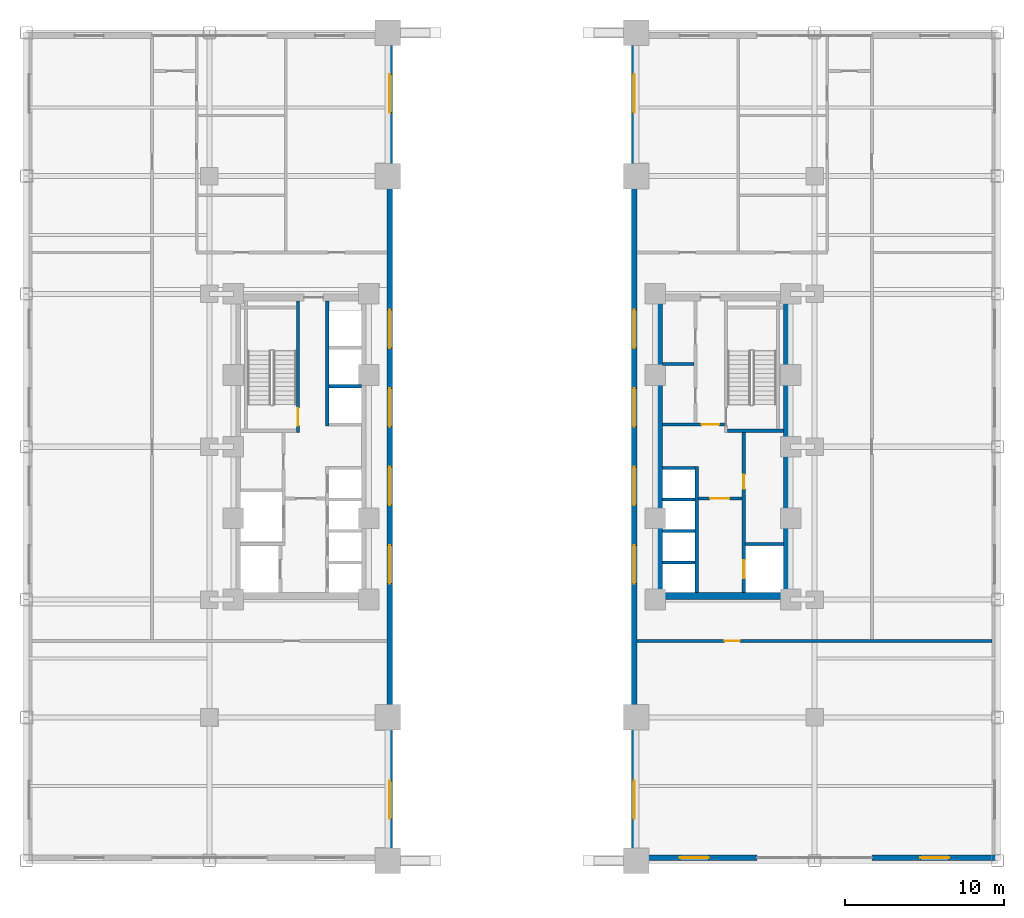
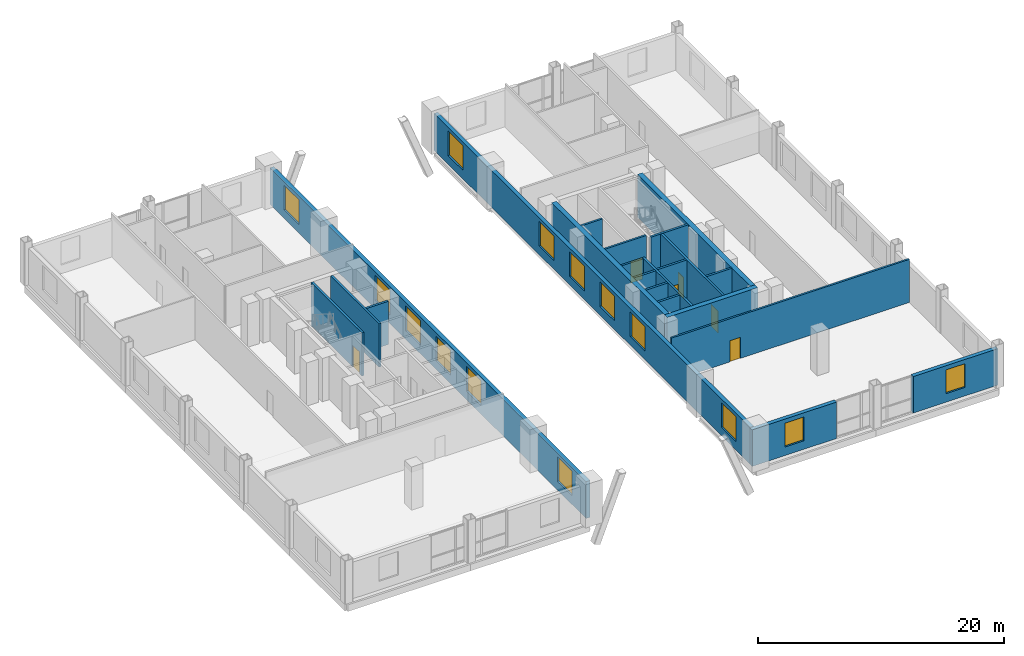
# One storey, part 4 of 15: 22 walls, 14 windows, 6 doors, 20 openings.
"""IFC4 building model written with IfcOpenShell, lengths in metres."""

import ifcopenshell
import ifcopenshell.guid

model = None  # the IFC model being written
_history = None  # IfcOwnerHistory: only IFC2X3 demands one
_inside = {}  # id of a spatial element -> (the spatial element, [elements in it])
_under = {}  # id of a project, library or spatial element -> (it, [spatial elements below it])
_declared = {}  # id of a project -> (the project, [libraries it declares])
_typed = {}  # id of a type object -> (the type object, [elements of that type])
_made_of = {}  # id of a material, layer set ... -> (it, [elements and type objects made of it])


def new_model(schema):
    """Start an empty IFC model of exactly this schema.

    Asked for "IFC4X3", IfcOpenShell would pick the latest addendum, in which some entities
    have other attributes; the version numbers below select the first issue.
    IFC2X3 requires an IfcOwnerHistory on every rooted entity: one is made here for all.
    """
    global model, _history
    if schema == "IFC4X3":
        model = ifcopenshell.file(schema_version=(4, 3, 0, 0))
    else:
        model = ifcopenshell.file(schema=schema)
    _inside.clear()
    _under.clear()
    _declared.clear()
    _typed.clear()
    _made_of.clear()
    _history = None
    if model.schema == "IFC2X3":
        org = make("IfcOrganization", Name="unknown")
        user = make(
            "IfcPersonAndOrganization",
            ThePerson=make("IfcPerson", FamilyName="unknown"),
            TheOrganization=org,
        )
        app = make(
            "IfcApplication",
            ApplicationDeveloper=org,
            Version="unknown",
            ApplicationFullName="unknown",
            ApplicationIdentifier="unknown",
        )
        _history = make(
            "IfcOwnerHistory",
            OwningUser=user,
            OwningApplication=app,
            ChangeAction="ADDED",
            CreationDate=0,
        )
    return model


def make(cls, **values):
    """One entity of the class cls with the attributes given. An attribute that is None is left unset."""
    return model.create_entity(
        cls, **{name: value for name, value in values.items() if value is not None}
    )


def rooted(cls, **values):
    """An entity with a GlobalId (a new one), such as an element, a storey or a relation."""
    return make(cls, GlobalId=ifcopenshell.guid.new(), OwnerHistory=_history, **values)


def si_unit(unit_type, name, prefix=None):
    """IfcSIUnit, for example si_unit("LENGTHUNIT", "METRE", prefix="MILLI")."""
    return make("IfcSIUnit", UnitType=unit_type, Prefix=prefix, Name=name)


def assignment(units):
    """IfcUnitAssignment: the units of a project."""
    return None if units is None else make("IfcUnitAssignment", Units=units)


def point(xyz):
    """IfcCartesianPoint."""
    return None if xyz is None else make("IfcCartesianPoint", Coordinates=xyz)


def direction(xyz):
    """IfcDirection."""
    return None if xyz is None else make("IfcDirection", DirectionRatios=xyz)


def frame(location, z_axis=None, x_axis=None):
    """IfcAxis2Placement3D, a coordinate frame: its origin and axes. An axis left out is left unset."""
    return make(
        "IfcAxis2Placement3D",
        Location=point(location),
        Axis=direction(z_axis),
        RefDirection=direction(x_axis),
    )


def frame_2d(location, x_axis=None):
    """IfcAxis2Placement2D, a coordinate frame in the plane: its origin and x axis."""
    return make(
        "IfcAxis2Placement2D", Location=point(location), RefDirection=direction(x_axis)
    )


def origin():
    """The frame at (0, 0, 0) with its axes left unset."""
    return frame((0.0, 0.0, 0.0))


def place(relative_to, where):
    """IfcLocalPlacement: puts the frame where relative to a parent placement (None: the world)."""
    return make(
        "IfcLocalPlacement", PlacementRelTo=relative_to, RelativePlacement=where
    )


def context(
    kind, dimensions, precision=None, world=None, true_north=None, identifier=None
):
    """IfcGeometricRepresentationContext, for example the 3D "Model" context."""
    return make(
        "IfcGeometricRepresentationContext",
        ContextIdentifier=identifier,
        ContextType=kind,
        CoordinateSpaceDimension=dimensions,
        Precision=precision,
        WorldCoordinateSystem=world,
        TrueNorth=true_north,
    )


def subcontext(parent, identifier, kind, view, scale=None):
    """IfcGeometricRepresentationSubContext, for example "Body" below "Model"."""
    return make(
        "IfcGeometricRepresentationSubContext",
        ContextIdentifier=identifier,
        ContextType=kind,
        ParentContext=parent,
        TargetScale=scale,
        TargetView=view,
    )


def project(units=None, contexts=None):
    """IfcProject with its units and contexts."""
    return rooted(
        "IfcProject",
        Name="project",
        RepresentationContexts=contexts,
        UnitsInContext=assignment(units),
    )


def spatial(cls, under=None, at=None, **own):
    """A site, building, storey or space (cls), placed at a placement, below another one or the project."""
    s = rooted(cls, ObjectPlacement=at, **own)
    if under is not None:
        _under.setdefault(under.id(), (under, []))[1].append(s)
    return s


def profile(cls, at=None, kind="AREA", **sizes):
    """A parametric profile (cls). Its sizes go by their IFC names, for example OverallWidth=200.0."""
    return make(cls, ProfileType=kind, Position=at, **sizes)


def rectangle(**sizes):
    """IfcRectangleProfileDef."""
    return profile("IfcRectangleProfileDef", **sizes)


def extrude(swept, where, along, depth):
    """IfcExtrudedAreaSolid: the profile swept, set in the frame where, extruded along a direction by depth."""
    return make(
        "IfcExtrudedAreaSolid",
        SweptArea=swept,
        Position=where,
        ExtrudedDirection=direction(along),
        Depth=depth,
    )


def shape(context_of_items, identifier, shape_type, items):
    """IfcShapeRepresentation: the items that make up one representation, for example the "Body"."""
    return make(
        "IfcShapeRepresentation",
        ContextOfItems=context_of_items,
        RepresentationIdentifier=identifier,
        RepresentationType=shape_type,
        Items=items,
    )


def source(mapping_origin, context_of_items, identifier, shape_type, items):
    """IfcRepresentationMap: a shape defined once, which mapped items show again and again."""
    return make(
        "IfcRepresentationMap",
        MappingOrigin=mapping_origin,
        MappedRepresentation=shape(context_of_items, identifier, shape_type, items),
    )


def transform(
    local_origin,
    x_axis=None,
    y_axis=None,
    z_axis=None,
    scale=None,
    scale2=None,
    scale3=None,
    uniform=True,
):
    """IfcCartesianTransformationOperator3D, or its non-uniform kind. x_axis, y_axis, z_axis: its Axis1, 2, 3."""
    if uniform:
        return make(
            "IfcCartesianTransformationOperator3D",
            Axis1=direction(x_axis),
            Axis2=direction(y_axis),
            LocalOrigin=point(local_origin),
            Scale=scale,
            Axis3=direction(z_axis),
        )
    return make(
        "IfcCartesianTransformationOperator3DnonUniform",
        Axis1=direction(x_axis),
        Axis2=direction(y_axis),
        LocalOrigin=point(local_origin),
        Scale=scale,
        Axis3=direction(z_axis),
        Scale2=scale2,
        Scale3=scale3,
    )


def mapped(mapping_source, mapping_target):
    """IfcMappedItem: shows the shape of a source again, moved by a transform."""
    return make(
        "IfcMappedItem", MappingSource=mapping_source, MappingTarget=mapping_target
    )


def material(Name=None, Category=None):
    """IfcMaterial."""
    return make("IfcMaterial", Name=Name, Category=Category)


def layer(
    of_material, thickness, ventilated=None, Name=None, Category=None, Priority=None
):
    """IfcMaterialLayer: one layer of a wall or slab, of a material (None: an air gap)."""
    return make(
        "IfcMaterialLayer",
        Material=of_material,
        LayerThickness=thickness,
        IsVentilated=ventilated,
        Name=Name,
        Category=Category,
        Priority=Priority,
    )


def layer_set(layers, Name=None):
    """IfcMaterialLayerSet."""
    return make("IfcMaterialLayerSet", MaterialLayers=layers, LayerSetName=Name)


def made_of(thing, what):
    """Note that an element or type object is made of a material, layer set ...; save() writes the relation."""
    if what is not None:
        _made_of.setdefault(what.id(), (what, []))[1].append(thing)
    return thing


def type_object(cls, material=None, **own):
    """A type object (cls), such as IfcWallType, which elements share."""
    return made_of(rooted(cls, **own), material)


def type_shapes(of_type, sources):
    """Give a type object the sources (RepresentationMaps) that its elements show as mapped items."""
    of_type.RepresentationMaps = sources


def element(
    cls,
    number,
    at=None,
    inside=None,
    cuts=None,
    type_object=None,
    material=None,
    context=None,
    identifier="Body",
    shape_type=None,
    held_by="IfcProductDefinitionShape",
    body=None,
    shapes=None,
    **own,
):
    """One element of the class cls, such as IfcWall. Its Tag is "e" and its number.

    at: its placement. inside: the storey or other place that contains it. cuts: it is an
    opening in that element (IfcRelVoidsElement). A single representation is given by context,
    identifier, shape_type and body (its items); several are given by shapes. held_by: the class
    of the entity that holds the representations. save() writes the other relations.
    """
    e = rooted(cls, Tag="e%d" % number, ObjectPlacement=at, **own)
    if body is not None:
        shapes = [shape(context, identifier, shape_type, body)]
    if shapes is not None:
        e.Representation = make(held_by, Representations=shapes)
    if inside is not None:
        _inside.setdefault(inside.id(), (inside, []))[1].append(e)
    if cuts is not None:
        rooted(
            "IfcRelVoidsElement", RelatingBuildingElement=cuts, RelatedOpeningElement=e
        )
    if type_object is not None:
        _typed.setdefault(type_object.id(), (type_object, []))[1].append(e)
    return made_of(e, material)


def fill(opening, filler):
    """IfcRelFillsElement: the door or window that sits in an opening."""
    return rooted(
        "IfcRelFillsElement",
        RelatingOpeningElement=opening,
        RelatedBuildingElement=filler,
    )


def aggregate(whole, parts):
    """IfcRelAggregates: a whole, such as a stair, and the parts it consists of."""
    return rooted("IfcRelAggregates", RelatingObject=whole, RelatedObjects=parts)


def save(model, path):
    """Write the relations noted so far, then the file.

    IfcRelAggregates (storeys below a building ...), IfcRelContainedInSpatialStructure (elements
    in a storey), IfcRelDefinesByType, IfcRelAssociatesMaterial and IfcRelDeclares: one each for
    every whole, place, type object, material and project.
    """
    for whole, parts in _under.values():
        aggregate(whole, parts)
    for where, things in _inside.values():
        rooted(
            "IfcRelContainedInSpatialStructure",
            RelatedElements=things,
            RelatingStructure=where,
        )
    for kind, things in _typed.values():
        rooted("IfcRelDefinesByType", RelatedObjects=things, RelatingType=kind)
    for what, things in _made_of.values():
        rooted("IfcRelAssociatesMaterial", RelatedObjects=things, RelatingMaterial=what)
    for by, libraries in _declared.values():
        rooted("IfcRelDeclares", RelatingContext=by, RelatedDefinitions=libraries)
    model.write(path)


model = new_model("IFC4")

# Units and contexts
model_context = context("Model", 3, precision=1e-05, world=origin(), true_north=direction((0.0, 1.0)))
body_context = subcontext(model_context, "Body", "Model", "MODEL_VIEW")
ifc_project = project(units=[si_unit("LENGTHUNIT", "METRE"), si_unit("AREAUNIT", "SQUARE_METRE"), si_unit("VOLUMEUNIT", "CUBIC_METRE"), si_unit("PLANEANGLEUNIT", "RADIAN"), si_unit("MASSUNIT", "GRAM", prefix="KILO")], contexts=[model_context])

# Site, building, storey
site_placement = place(None, origin())
site = spatial("IfcSite", under=ifc_project, at=site_placement, CompositionType="ELEMENT")
building_placement = place(site_placement, origin())
building = spatial("IfcBuilding", under=site, at=building_placement, Name="Nuvemarco Arch Tower", CompositionType="ELEMENT")
storey_placement = place(building_placement, frame((0.0, 0.0, 9.199951171875)))
storey = spatial("IfcBuildingStorey", under=building, at=storey_placement, Name="L02", CompositionType="ELEMENT", Elevation=9.199951171875)

# Wall, openings, windows
ifc_material_1 = material(Name="Precast concrete C45/55", Category="concrete")
ifc_layer_1 = layer(ifc_material_1, 0.360107421875, Name="EW-POD-360")
ifc_layer_set_1 = layer_set([ifc_layer_1], Name="Precast concrete C45/55")
wall_type_1 = type_object("IfcWallType", Name="EW-POD-360", PredefinedType="STANDARD", material=ifc_layer_set_1)
wall_1_placement = place(storey_placement, frame((-7.679931640625, -25.64404296875, 0.0), z_axis=(0.0, 0.0, 1.0), x_axis=(0.0, 1.0, 0.0)))
wall_1 = element("IfcWall", 1, at=wall_1_placement, inside=storey, type_object=wall_type_1, Name="L02 exterior precast facade wall 2", PredefinedType="STANDARD", context=body_context, shape_type="SweptSolid", body=[
    extrude(rectangle(XDim=51.2880859375, YDim=0.360107421875, at=frame_2d((25.64404296875, 0.0))), origin(), (0.0, 0.0, 1.0), 3.649169921875),
])
opening_1_placement = place(wall_1_placement, frame((2.264404296875, 0.0, 0.85009765625)))
opening_1 = element("IfcOpeningElement", 2, at=opening_1_placement, cuts=wall_1, Name="Opening WN-1", PredefinedType="OPENING", context=body_context, shape_type="SweptSolid", body=[
    extrude(rectangle(XDim=2.39990234375, YDim=2.449951171875, at=frame_2d((1.199951171875, 1.22509765625))), frame((0.0, 0.18994140625, 0.0), z_axis=(0.0, -1.0, 0.0), x_axis=(1.0, 0.0, 0.0)), (0.0, 0.0, 1.0), 0.380126953125),
])
opening_2_placement = place(wall_1_placement, frame((17.05078125, 0.0, 0.85009765625)))
opening_2 = element("IfcOpeningElement", 3, at=opening_2_placement, cuts=wall_1, Name="Opening WN-1", PredefinedType="OPENING", context=body_context, shape_type="SweptSolid", body=[
    extrude(rectangle(XDim=2.39990234375, YDim=2.449951171875, at=frame_2d((1.199951171875, 1.22509765625))), frame((0.0, 0.18994140625, 0.0), z_axis=(0.0, -1.0, 0.0), x_axis=(1.0, 0.0, 0.0)), (0.0, 0.0, 1.0), 0.380126953125),
])
opening_3_placement = place(wall_1_placement, frame((21.9794921875, 0.0, 0.85009765625)))
opening_3 = element("IfcOpeningElement", 4, at=opening_3_placement, cuts=wall_1, Name="Opening WN-1", PredefinedType="OPENING", context=body_context, shape_type="SweptSolid", body=[
    extrude(rectangle(XDim=2.39990234375, YDim=2.449951171875, at=frame_2d((1.199951171875, 1.22509765625))), frame((0.0, 0.18994140625, 0.0), z_axis=(0.0, -1.0, 0.0), x_axis=(1.0, 0.0, 0.0)), (0.0, 0.0, 1.0), 0.380126953125),
])
opening_4_placement = place(wall_1_placement, frame((26.908447265625, 0.0, 0.85009765625)))
opening_4 = element("IfcOpeningElement", 5, at=opening_4_placement, cuts=wall_1, Name="Opening WN-1", PredefinedType="OPENING", context=body_context, shape_type="SweptSolid", body=[
    extrude(rectangle(XDim=2.39990234375, YDim=2.449951171875, at=frame_2d((1.199951171875, 1.22509765625))), frame((0.0, 0.18994140625, 0.0), z_axis=(0.0, -1.0, 0.0), x_axis=(1.0, 0.0, 0.0)), (0.0, 0.0, 1.0), 0.380126953125),
])
opening_5_placement = place(wall_1_placement, frame((31.837158203125, 0.0, 0.85009765625)))
opening_5 = element("IfcOpeningElement", 6, at=opening_5_placement, cuts=wall_1, Name="Opening WN-1", PredefinedType="OPENING", context=body_context, shape_type="SweptSolid", body=[
    extrude(rectangle(XDim=2.39990234375, YDim=2.449951171875, at=frame_2d((1.199951171875, 1.22509765625))), frame((0.0, 0.18994140625, 0.0), z_axis=(0.0, -1.0, 0.0), x_axis=(1.0, 0.0, 0.0)), (0.0, 0.0, 1.0), 0.380126953125),
])
opening_6_placement = place(wall_1_placement, frame((46.62353515625, 0.0, 0.85009765625)))
opening_6 = element("IfcOpeningElement", 7, at=opening_6_placement, cuts=wall_1, Name="Opening WN-1", PredefinedType="OPENING", context=body_context, shape_type="SweptSolid", body=[
    extrude(rectangle(XDim=2.39990234375, YDim=2.449951171875, at=frame_2d((1.199951171875, 1.22509765625))), frame((0.0, 0.18994140625, 0.0), z_axis=(0.0, -1.0, 0.0), x_axis=(1.0, 0.0, 0.0)), (0.0, 0.0, 1.0), 0.380126953125),
])
ifc_material_2 = material(Name="Insulated solar-control glass", Category="glass")
window_type_1 = type_object("IfcWindowType", Name="WN-POD-2400x2450", PartitioningType="DOUBLE_PANEL_VERTICAL", PredefinedType="WINDOW", material=ifc_material_2)
shared_shape_1 = source(origin(), body_context, "Body", "SweptSolid", [
    extrude(rectangle(XDim=2.39990234375, YDim=2.449951171875, at=frame_2d((1.199951171875, 1.22509765625))), frame((0.0, 0.030029296875, 0.0), z_axis=(0.0, -1.0, 0.0), x_axis=(1.0, 0.0, 0.0)), (0.0, 0.0, 1.0), 0.06005859375),
])
type_shapes(window_type_1, [shared_shape_1])
window_1_placement = place(opening_1_placement, origin())
window_1 = element("IfcWindow", 8, at=window_1_placement, inside=storey, type_object=window_type_1, Name="L02 punched facade window 1", OverallHeight=2.449951171875, OverallWidth=2.39990234375, PartitioningType="SINGLE_PANEL", PredefinedType="WINDOW", context=body_context, shape_type="MappedRepresentation", body=[
    mapped(shared_shape_1, transform((0.0, 0.0, 0.0), scale=1.0)),
])
fill(opening_1, window_1)
window_2_placement = place(opening_2_placement, origin())
window_2 = element("IfcWindow", 9, at=window_2_placement, inside=storey, type_object=window_type_1, Name="L02 punched facade window 4", OverallHeight=2.449951171875, OverallWidth=2.39990234375, PartitioningType="SINGLE_PANEL", PredefinedType="WINDOW", context=body_context, shape_type="MappedRepresentation", body=[
    mapped(shared_shape_1, transform((0.0, 0.0, 0.0), scale=1.0)),
])
fill(opening_2, window_2)
window_3_placement = place(opening_3_placement, origin())
window_3 = element("IfcWindow", 10, at=window_3_placement, inside=storey, type_object=window_type_1, Name="L02 punched facade window 5", OverallHeight=2.449951171875, OverallWidth=2.39990234375, PartitioningType="SINGLE_PANEL", PredefinedType="WINDOW", context=body_context, shape_type="MappedRepresentation", body=[
    mapped(shared_shape_1, transform((0.0, 0.0, 0.0), scale=1.0)),
])
fill(opening_3, window_3)
window_4_placement = place(opening_4_placement, origin())
window_4 = element("IfcWindow", 11, at=window_4_placement, inside=storey, type_object=window_type_1, Name="L02 punched facade window 6", OverallHeight=2.449951171875, OverallWidth=2.39990234375, PartitioningType="SINGLE_PANEL", PredefinedType="WINDOW", context=body_context, shape_type="MappedRepresentation", body=[
    mapped(shared_shape_1, transform((0.0, 0.0, 0.0), scale=1.0)),
])
fill(opening_4, window_4)
window_5_placement = place(opening_5_placement, origin())
window_5 = element("IfcWindow", 12, at=window_5_placement, inside=storey, type_object=window_type_1, Name="L02 punched facade window 7", OverallHeight=2.449951171875, OverallWidth=2.39990234375, PartitioningType="SINGLE_PANEL", PredefinedType="WINDOW", context=body_context, shape_type="MappedRepresentation", body=[
    mapped(shared_shape_1, transform((0.0, 0.0, 0.0), scale=1.0)),
])
fill(opening_5, window_5)
window_6_placement = place(opening_6_placement, origin())
window_6 = element("IfcWindow", 13, at=window_6_placement, inside=storey, type_object=window_type_1, Name="L02 punched facade window 10", OverallHeight=2.449951171875, OverallWidth=2.39990234375, PartitioningType="SINGLE_PANEL", PredefinedType="WINDOW", context=body_context, shape_type="MappedRepresentation", body=[
    mapped(shared_shape_1, transform((0.0, 0.0, 0.0), scale=1.0)),
])
fill(opening_6, window_6)

# Wall, opening, window
wall_2_placement = place(storey_placement, frame((7.5, -25.820068359375, 0.0), z_axis=(0.0, 0.0, 1.0), x_axis=(1.0, 0.0, 0.0)))
wall_2 = element("IfcWall", 14, at=wall_2_placement, inside=storey, type_object=wall_type_1, Name="L02 exterior precast pier wall south left", PredefinedType="STANDARD", context=body_context, shape_type="SweptSolid", body=[
    extrude(rectangle(XDim=7.89990234375, YDim=0.360107421875, at=frame_2d((3.949951171875, 0.0))), origin(), (0.0, 0.0, 1.0), 3.614990234375),
])
opening_7_placement = place(wall_2_placement, frame((3.050048828125, 0.0, 0.85009765625)))
opening_7 = element("IfcOpeningElement", 15, at=opening_7_placement, cuts=wall_2, Name="Opening WN-2", PredefinedType="OPENING", context=body_context, shape_type="SweptSolid", body=[
    extrude(rectangle(XDim=1.800048828125, YDim=2.35009765625, at=frame_2d((0.89990234375, 1.175048828125))), frame((0.0, 0.18994140625, 0.0), z_axis=(0.0, -1.0, 0.0), x_axis=(1.0, 0.0, 0.0)), (0.0, 0.0, 1.0), 0.380126953125),
])
window_type_2 = type_object("IfcWindowType", Name="WN-POD-1800x2350", PartitioningType="DOUBLE_PANEL_VERTICAL", PredefinedType="WINDOW", material=ifc_material_2)
shared_shape_2 = source(origin(), body_context, "Body", "SweptSolid", [
    extrude(rectangle(XDim=1.800048828125, YDim=2.35009765625, at=frame_2d((0.89990234375, 1.175048828125))), frame((0.0, 0.030029296875, 0.0), z_axis=(0.0, -1.0, 0.0), x_axis=(1.0, 0.0, 0.0)), (0.0, 0.0, 1.0), 0.06005859375),
])
type_shapes(window_type_2, [shared_shape_2])
window_7_placement = place(opening_7_placement, origin())
window_7 = element("IfcWindow", 16, at=window_7_placement, inside=storey, type_object=window_type_2, Name="L02 punched facade window 1", OverallHeight=2.35009765625, OverallWidth=1.800048828125, PartitioningType="SINGLE_PANEL", PredefinedType="WINDOW", context=body_context, shape_type="MappedRepresentation", body=[
    mapped(shared_shape_2, transform((0.0, 0.0, 0.0), scale=1.0)),
])
fill(opening_7, window_7)

wall_3_placement = place(storey_placement, frame((22.60009765625, -25.820068359375, 0.0), z_axis=(0.0, 0.0, 1.0), x_axis=(1.0, 0.0, 0.0)))
wall_3 = element("IfcWall", 17, at=wall_3_placement, inside=storey, type_object=wall_type_1, Name="L02 exterior precast pier wall south right", PredefinedType="STANDARD", context=body_context, shape_type="SweptSolid", body=[
    extrude(rectangle(XDim=7.89990234375, YDim=0.360107421875, at=frame_2d((3.949951171875, 0.0))), origin(), (0.0, 0.0, 1.0), 3.614990234375),
])
opening_8_placement = place(wall_3_placement, frame((3.050048828125, 0.0, 0.85009765625)))
opening_8 = element("IfcOpeningElement", 18, at=opening_8_placement, cuts=wall_3, Name="Opening WN-2", PredefinedType="OPENING", context=body_context, shape_type="SweptSolid", body=[
    extrude(rectangle(XDim=1.800048828125, YDim=2.35009765625, at=frame_2d((0.89990234375, 1.175048828125))), frame((0.0, 0.18994140625, 0.0), z_axis=(0.0, -1.0, 0.0), x_axis=(1.0, 0.0, 0.0)), (0.0, 0.0, 1.0), 0.380126953125),
])
window_8_placement = place(opening_8_placement, origin())
window_8 = element("IfcWindow", 19, at=window_8_placement, inside=storey, type_object=window_type_2, Name="L02 punched facade window 1", OverallHeight=2.35009765625, OverallWidth=1.800048828125, PartitioningType="SINGLE_PANEL", PredefinedType="WINDOW", context=body_context, shape_type="MappedRepresentation", body=[
    mapped(shared_shape_2, transform((0.0, 0.0, 0.0), scale=1.0)),
])
fill(opening_8, window_8)

# Wall, openings, windows
wall_4_placement = place(storey_placement, frame((7.679931640625, -25.64404296875, 0.0), z_axis=(0.0, 0.0, 1.0), x_axis=(0.0, 1.0, 0.0)))
wall_4 = element("IfcWall", 20, at=wall_4_placement, inside=storey, type_object=wall_type_1, Name="L02 exterior precast facade wall 4", PredefinedType="STANDARD", context=body_context, shape_type="SweptSolid", body=[
    extrude(rectangle(XDim=51.2880859375, YDim=0.360107421875, at=frame_2d((25.64404296875, 0.0))), origin(), (0.0, 0.0, 1.0), 3.649169921875),
])
opening_9_placement = place(wall_4_placement, frame((2.264404296875, 0.0, 0.85009765625)))
opening_9 = element("IfcOpeningElement", 21, at=opening_9_placement, cuts=wall_4, Name="Opening WN-1", PredefinedType="OPENING", context=body_context, shape_type="SweptSolid", body=[
    extrude(rectangle(XDim=2.39990234375, YDim=2.449951171875, at=frame_2d((1.199951171875, 1.22509765625))), frame((0.0, 0.18994140625, 0.0), z_axis=(0.0, -1.0, 0.0), x_axis=(1.0, 0.0, 0.0)), (0.0, 0.0, 1.0), 0.380126953125),
])
opening_10_placement = place(wall_4_placement, frame((17.05078125, 0.0, 0.85009765625)))
opening_10 = element("IfcOpeningElement", 22, at=opening_10_placement, cuts=wall_4, Name="Opening WN-1", PredefinedType="OPENING", context=body_context, shape_type="SweptSolid", body=[
    extrude(rectangle(XDim=2.39990234375, YDim=2.449951171875, at=frame_2d((1.199951171875, 1.22509765625))), frame((0.0, 0.18994140625, 0.0), z_axis=(0.0, -1.0, 0.0), x_axis=(1.0, 0.0, 0.0)), (0.0, 0.0, 1.0), 0.380126953125),
])
opening_11_placement = place(wall_4_placement, frame((21.9794921875, 0.0, 0.85009765625)))
opening_11 = element("IfcOpeningElement", 23, at=opening_11_placement, cuts=wall_4, Name="Opening WN-1", PredefinedType="OPENING", context=body_context, shape_type="SweptSolid", body=[
    extrude(rectangle(XDim=2.39990234375, YDim=2.449951171875, at=frame_2d((1.199951171875, 1.22509765625))), frame((0.0, 0.18994140625, 0.0), z_axis=(0.0, -1.0, 0.0), x_axis=(1.0, 0.0, 0.0)), (0.0, 0.0, 1.0), 0.380126953125),
])
opening_12_placement = place(wall_4_placement, frame((26.908447265625, 0.0, 0.85009765625)))
opening_12 = element("IfcOpeningElement", 24, at=opening_12_placement, cuts=wall_4, Name="Opening WN-1", PredefinedType="OPENING", context=body_context, shape_type="SweptSolid", body=[
    extrude(rectangle(XDim=2.39990234375, YDim=2.449951171875, at=frame_2d((1.199951171875, 1.22509765625))), frame((0.0, 0.18994140625, 0.0), z_axis=(0.0, -1.0, 0.0), x_axis=(1.0, 0.0, 0.0)), (0.0, 0.0, 1.0), 0.380126953125),
])
opening_13_placement = place(wall_4_placement, frame((31.837158203125, 0.0, 0.85009765625)))
opening_13 = element("IfcOpeningElement", 25, at=opening_13_placement, cuts=wall_4, Name="Opening WN-1", PredefinedType="OPENING", context=body_context, shape_type="SweptSolid", body=[
    extrude(rectangle(XDim=2.39990234375, YDim=2.449951171875, at=frame_2d((1.199951171875, 1.22509765625))), frame((0.0, 0.18994140625, 0.0), z_axis=(0.0, -1.0, 0.0), x_axis=(1.0, 0.0, 0.0)), (0.0, 0.0, 1.0), 0.380126953125),
])
opening_14_placement = place(wall_4_placement, frame((46.62353515625, 0.0, 0.85009765625)))
opening_14 = element("IfcOpeningElement", 26, at=opening_14_placement, cuts=wall_4, Name="Opening WN-1", PredefinedType="OPENING", context=body_context, shape_type="SweptSolid", body=[
    extrude(rectangle(XDim=2.39990234375, YDim=2.449951171875, at=frame_2d((1.199951171875, 1.22509765625))), frame((0.0, 0.18994140625, 0.0), z_axis=(0.0, -1.0, 0.0), x_axis=(1.0, 0.0, 0.0)), (0.0, 0.0, 1.0), 0.380126953125),
])
window_9_placement = place(opening_9_placement, origin())
window_9 = element("IfcWindow", 27, at=window_9_placement, inside=storey, type_object=window_type_1, Name="L02 punched facade window 1", OverallHeight=2.449951171875, OverallWidth=2.39990234375, PartitioningType="SINGLE_PANEL", PredefinedType="WINDOW", context=body_context, shape_type="MappedRepresentation", body=[
    mapped(shared_shape_1, transform((0.0, 0.0, 0.0), scale=1.0)),
])
fill(opening_9, window_9)
window_10_placement = place(opening_10_placement, origin())
window_10 = element("IfcWindow", 28, at=window_10_placement, inside=storey, type_object=window_type_1, Name="L02 punched facade window 4", OverallHeight=2.449951171875, OverallWidth=2.39990234375, PartitioningType="SINGLE_PANEL", PredefinedType="WINDOW", context=body_context, shape_type="MappedRepresentation", body=[
    mapped(shared_shape_1, transform((0.0, 0.0, 0.0), scale=1.0)),
])
fill(opening_10, window_10)
window_11_placement = place(opening_11_placement, origin())
window_11 = element("IfcWindow", 29, at=window_11_placement, inside=storey, type_object=window_type_1, Name="L02 punched facade window 5", OverallHeight=2.449951171875, OverallWidth=2.39990234375, PartitioningType="SINGLE_PANEL", PredefinedType="WINDOW", context=body_context, shape_type="MappedRepresentation", body=[
    mapped(shared_shape_1, transform((0.0, 0.0, 0.0), scale=1.0)),
])
fill(opening_11, window_11)
window_12_placement = place(opening_12_placement, origin())
window_12 = element("IfcWindow", 30, at=window_12_placement, inside=storey, type_object=window_type_1, Name="L02 punched facade window 6", OverallHeight=2.449951171875, OverallWidth=2.39990234375, PartitioningType="SINGLE_PANEL", PredefinedType="WINDOW", context=body_context, shape_type="MappedRepresentation", body=[
    mapped(shared_shape_1, transform((0.0, 0.0, 0.0), scale=1.0)),
])
fill(opening_12, window_12)
window_13_placement = place(opening_13_placement, origin())
window_13 = element("IfcWindow", 31, at=window_13_placement, inside=storey, type_object=window_type_1, Name="L02 punched facade window 7", OverallHeight=2.449951171875, OverallWidth=2.39990234375, PartitioningType="SINGLE_PANEL", PredefinedType="WINDOW", context=body_context, shape_type="MappedRepresentation", body=[
    mapped(shared_shape_1, transform((0.0, 0.0, 0.0), scale=1.0)),
])
fill(opening_13, window_13)
window_14_placement = place(opening_14_placement, origin())
window_14 = element("IfcWindow", 32, at=window_14_placement, inside=storey, type_object=window_type_1, Name="L02 punched facade window 10", OverallHeight=2.449951171875, OverallWidth=2.39990234375, PartitioningType="SINGLE_PANEL", PredefinedType="WINDOW", context=body_context, shape_type="MappedRepresentation", body=[
    mapped(shared_shape_1, transform((0.0, 0.0, 0.0), scale=1.0)),
])
fill(opening_14, window_14)

# Walls
ifc_material_3 = material(Name="Concrete C60/75", Category="concrete")
ifc_layer_2 = layer(ifc_material_3, 0.449951171875, Name="WL-CORE-450")
ifc_layer_set_2 = layer_set([ifc_layer_2], Name="Concrete C60/75")
wall_type_2 = type_object("IfcWallType", Name="WL-CORE-450", PredefinedType="SHEAR", material=ifc_layer_set_2)
wall_5_placement = place(storey_placement, frame((9.0, -9.375, 0.0), z_axis=(0.0, 0.0, 1.0), x_axis=(1.0, 0.0, 0.0)))
element("IfcWall", 33, at=wall_5_placement, inside=storey, type_object=wall_type_2, Name="L02 E-core shear wall S", PredefinedType="SHEAR", context=body_context, shape_type="SweptSolid", body=[
    extrude(rectangle(XDim=8.5, YDim=0.449951171875, at=frame_2d((4.25, 0.0))), origin(), (0.0, 0.0, 1.0), 4.280029296875),
])
for number, where, z_axis, x_axis, name in (
    (34, (9.22509765625, -9.155029296875, 0.0), (0.0, 0.0, 1.0), (0.0, 1.0, 0.0), "L02 E-core shear wall W"),
    (35, (17.27490234375, -9.155029296875, 0.0), (0.0, 0.0, 1.0), (0.0, 1.0, 0.0), "L02 E-core shear wall E"),
):
    element("IfcWall", number, at=place(storey_placement, frame(where, z_axis=z_axis, x_axis=x_axis)), inside=storey, type_object=wall_type_2, Name=name, PredefinedType="SHEAR", context=body_context, shape_type="SweptSolid", body=[
        extrude(rectangle(XDim=18.31005859375, YDim=0.449951171875, at=frame_2d((9.155029296875, 0.0))), origin(), (0.0, 0.0, 1.0), 4.280029296875),
    ])

# Wall, opening, door
ifc_material_4 = material(Name="Fire-rated gypsum drywall partition")
ifc_layer_3 = layer(ifc_material_4, 0.179931640625, Name="WL-CORR-180")
ifc_layer_set_3 = layer_set([ifc_layer_3], Name="Fire-rated gypsum drywall partition")
wall_type_3 = type_object("IfcWallType", Name="WL-CORR-180", PredefinedType="PARTITIONING", material=ifc_layer_set_3)
wall_6_placement = place(storey_placement, frame((9.445068359375, 1.39990234375, 0.0), z_axis=(0.0, 0.0, 1.0), x_axis=(1.0, 0.0, 0.0)))
wall_6 = element("IfcWall", 36, at=wall_6_placement, inside=storey, type_object=wall_type_3, Name="L02 interior wall IW-L02-EK-S", PredefinedType="PARTITIONING", context=body_context, shape_type="SweptSolid", body=[
    extrude(rectangle(XDim=3.89990234375, YDim=0.179931640625, at=frame_2d((1.949951171875, 0.0))), origin(), (0.0, 0.0, 1.0), 4.27001953125),
])
opening_15_placement = place(wall_6_placement, frame((2.465087890625, 0.0, 0.0)))
opening_15 = element("IfcOpeningElement", 37, at=opening_15_placement, cuts=wall_6, Name="Opening FD-1", PredefinedType="OPENING", context=body_context, shape_type="SweptSolid", body=[
    extrude(rectangle(XDim=1.10009765625, YDim=2.14990234375, at=frame_2d((0.550048828125, 1.074951171875))), frame((0.0, 0.099853515625, 0.0), z_axis=(0.0, -1.0, 0.0), x_axis=(1.0, 0.0, 0.0)), (0.0, 0.0, 1.0), 0.199951171875),
])
ifc_material_5 = material(Name="Anodised steel fire door", Category="steel")
door_type_1 = type_object("IfcDoorType", Name="DR-STAIR-FD", OperationType="NOTDEFINED", PredefinedType="DOOR", material=ifc_material_5)
shared_shape_3 = source(origin(), body_context, "Body", "SweptSolid", [
    extrude(rectangle(XDim=1.10009765625, YDim=2.14990234375, at=frame_2d((0.550048828125, 1.074951171875))), frame((0.0, 0.02490234375, 0.0), z_axis=(0.0, -1.0, 0.0), x_axis=(1.0, 0.0, 0.0)), (0.0, 0.0, 1.0), 0.050048828125),
])
type_shapes(door_type_1, [shared_shape_3])
door_1_placement = place(opening_15_placement, origin())
door_1 = element("IfcDoor", 38, at=door_1_placement, inside=storey, type_object=door_type_1, Name="L02 door FD-L02-ENPASS", OperationType="SINGLE_SWING_LEFT", OverallHeight=2.14990234375, OverallWidth=1.10009765625, PredefinedType="DOOR", context=body_context, shape_type="MappedRepresentation", body=[
    mapped(shared_shape_3, transform((0.0, 0.0, 0.0), scale=1.0)),
])
fill(opening_15, door_1)

# Wall
wall_7_placement = place(storey_placement, frame((9.445068359375, 5.199951171875, 0.0), z_axis=(0.0, 0.0, 1.0), x_axis=(1.0, 0.0, 0.0)))
element("IfcWall", 39, at=wall_7_placement, inside=storey, type_object=wall_type_3, Name="L02 interior wall IW-L02-EK2H", PredefinedType="PARTITIONING", context=body_context, shape_type="SweptSolid", body=[
    extrude(rectangle(XDim=1.98486328125, YDim=0.179931640625, at=frame_2d((0.992431640625, 0.0))), origin(), (0.0, 0.0, 1.0), 4.27001953125),
])

# Wall, opening, door
wall_8_placement = place(storey_placement, frame((7.860107421875, -12.199951171875, 0.0), z_axis=(0.0, 0.0, 1.0), x_axis=(1.0, 0.0, 0.0)))
wall_8 = element("IfcWall", 40, at=wall_8_placement, inside=storey, type_object=wall_type_3, Name="L02 interior wall IW-L02-002", PredefinedType="PARTITIONING", context=body_context, shape_type="SweptSolid", body=[
    extrude(rectangle(XDim=22.27978515625, YDim=0.179931640625, at=frame_2d((11.139892578125, 0.0))), origin(), (0.0, 0.0, 1.0), 4.27001953125),
])
opening_16_placement = place(wall_8_placement, frame((5.489990234375, 0.0, 0.0)))
opening_16 = element("IfcOpeningElement", 41, at=opening_16_placement, cuts=wall_8, Name="Opening FD-5", PredefinedType="OPENING", context=body_context, shape_type="SweptSolid", body=[
    extrude(rectangle(XDim=0.9599609375, YDim=2.10009765625, at=frame_2d((0.47998046875, 1.050048828125))), frame((0.0, 0.099853515625, 0.0), z_axis=(0.0, -1.0, 0.0), x_axis=(1.0, 0.0, 0.0)), (0.0, 0.0, 1.0), 0.199951171875),
])
ifc_material_6 = material(Name="Timber fire door", Category="wood")
door_type_2 = type_object("IfcDoorType", Name="DR-CORR-FD", OperationType="NOTDEFINED", PredefinedType="DOOR", material=ifc_material_6)
shared_shape_4 = source(origin(), body_context, "Body", "SweptSolid", [
    extrude(rectangle(XDim=0.9599609375, YDim=2.10009765625, at=frame_2d((0.47998046875, 1.050048828125))), frame((0.0, 0.02490234375, 0.0), z_axis=(0.0, -1.0, 0.0), x_axis=(1.0, 0.0, 0.0)), (0.0, 0.0, 1.0), 0.050048828125),
])
type_shapes(door_type_2, [shared_shape_4])
door_2_placement = place(opening_16_placement, origin())
door_2 = element("IfcDoor", 42, at=door_2_placement, inside=storey, type_object=door_type_2, Name="L02 door DR-L02-POD_ECAFE", OperationType="SINGLE_SWING_LEFT", OverallHeight=2.10009765625, OverallWidth=0.9599609375, PredefinedType="DOOR", context=body_context, shape_type="MappedRepresentation", body=[
    mapped(shared_shape_4, transform((0.0, 0.0, 0.0), scale=1.0)),
])
fill(opening_16, door_2)

ifc_material_7 = material(Name="Concrete C50/60", Category="concrete")
ifc_layer_4 = layer(ifc_material_7, 0.199951171875, Name="WL-SHAFT-220")
ifc_layer_set_4 = layer_set([ifc_layer_4], Name="Concrete C50/60")
wall_type_4 = type_object("IfcWallType", Name="WL-SHAFT-220", PredefinedType="SHEAR", material=ifc_layer_set_4)
wall_9_placement = place(storey_placement, frame((-13.43994140625, 0.89990234375, 0.0), z_axis=(0.0, 0.0, 1.0), x_axis=(0.0, 1.0, 0.0)))
wall_9 = element("IfcWall", 43, at=wall_9_placement, inside=storey, type_object=wall_type_4, Name="L02 structural shaft wall SW-L02-W-ST1E", PredefinedType="SHEAR", context=body_context, shape_type="SweptSolid", body=[
    extrude(rectangle(XDim=8.255126953125, YDim=0.199951171875, at=frame_2d((4.12744140625, 0.0))), origin(), (0.0, 0.0, 1.0), 4.280029296875),
])
opening_17_placement = place(wall_9_placement, frame((1.530029296875, 0.0, 0.0), z_axis=(0.0, 0.0, 1.0), x_axis=(-1.0, 0.0, 0.0)))
opening_17 = element("IfcOpeningElement", 44, at=opening_17_placement, cuts=wall_9, Name="Opening FD-1", PredefinedType="OPENING", context=body_context, shape_type="SweptSolid", body=[
    extrude(rectangle(XDim=1.10009765625, YDim=2.14990234375, at=frame_2d((0.550048828125, 1.074951171875))), frame((0.0, 0.10986328125, 0.0), z_axis=(0.0, -1.0, 0.0), x_axis=(1.0, 0.0, 0.0)), (0.0, 0.0, 1.0), 0.219970703125),
])
door_3_placement = place(opening_17_placement, origin())
door_3 = element("IfcDoor", 45, at=door_3_placement, inside=storey, type_object=door_type_1, Name="L02 door FD-L02-ST1", OperationType="SINGLE_SWING_LEFT", OverallHeight=2.14990234375, OverallWidth=1.10009765625, PredefinedType="DOOR", context=body_context, shape_type="MappedRepresentation", body=[
    mapped(shared_shape_3, transform((0.0, 0.0, 0.0), scale=1.0)),
])
fill(opening_17, door_3)

# Walls
wall_10_placement = place(storey_placement, frame((-11.60009765625, 1.300048828125, 0.0), z_axis=(0.0, 0.0, 1.0), x_axis=(0.0, 1.0, 0.0)))
element("IfcWall", 46, at=wall_10_placement, inside=storey, type_object=wall_type_4, Name="L02 structural shaft wall SW-L02-W-PHW", PredefinedType="SHEAR", context=body_context, shape_type="SweptSolid", body=[
    extrude(rectangle(XDim=7.85498046875, YDim=0.199951171875, at=frame_2d((3.927490234375, 0.0))), origin(), (0.0, 0.0, 1.0), 4.280029296875),
])
wall_11_placement = place(storey_placement, frame((-11.5048828125, 3.800048828125, 0.0), z_axis=(0.0, 0.0, 1.0), x_axis=(1.0, 0.0, 0.0)))
element("IfcWall", 47, at=wall_11_placement, inside=storey, type_object=wall_type_4, Name="L02 structural shaft wall SW-L02-W-PHD2", PredefinedType="SHEAR", context=body_context, shape_type="SweptSolid", body=[
    extrude(rectangle(XDim=2.059814453125, YDim=0.199951171875, at=frame_2d((1.02978515625, 0.0))), origin(), (0.0, 0.0, 1.0), 4.280029296875),
])
wall_12_placement = place(storey_placement, frame((13.534912109375, 1.0, 0.0), z_axis=(0.0, 0.0, 1.0), x_axis=(1.0, 0.0, 0.0)))
element("IfcWall", 48, at=wall_12_placement, inside=storey, type_object=wall_type_4, Name="L02 structural shaft wall SW-L02-E-ST2S", PredefinedType="SHEAR", context=body_context, shape_type="SweptSolid", body=[
    extrude(rectangle(XDim=3.52001953125, YDim=0.199951171875, at=frame_2d((1.760009765625, 0.0))), origin(), (0.0, 0.0, 1.0), 4.280029296875),
])

# Wall, openings, doors
wall_13_placement = place(storey_placement, frame((14.550048828125, -9.155029296875, 0.0), z_axis=(0.0, 0.0, 1.0), x_axis=(0.0, 1.0, 0.0)))
wall_13 = element("IfcWall", 49, at=wall_13_placement, inside=storey, type_object=wall_type_4, Name="L02 structural shaft wall SW-L02-E-SHW", PredefinedType="SHEAR", context=body_context, shape_type="SweptSolid", body=[
    extrude(rectangle(XDim=10.06005859375, YDim=0.199951171875, at=frame_2d((5.030029296875, 0.0))), origin(), (0.0, 0.0, 1.0), 4.280029296875),
])
opening_18_placement = place(wall_13_placement, frame((6.514892578125, 0.0, 0.0)))
opening_18 = element("IfcOpeningElement", 50, at=opening_18_placement, cuts=wall_13, Name="Opening FD-4", PredefinedType="OPENING", context=body_context, shape_type="SweptSolid", body=[
    extrude(rectangle(XDim=0.8798828125, YDim=2.10009765625, at=frame_2d((0.43994140625, 1.050048828125))), frame((0.0, 0.10986328125, 0.0), z_axis=(0.0, -1.0, 0.0), x_axis=(1.0, 0.0, 0.0)), (0.0, 0.0, 1.0), 0.219970703125),
])
opening_19_placement = place(wall_13_placement, frame((0.8798828125, 0.0, 0.0)))
opening_19 = element("IfcOpeningElement", 51, at=opening_19_placement, cuts=wall_13, Name="Opening LD-2", PredefinedType="OPENING", context=body_context, shape_type="SweptSolid", body=[
    extrude(rectangle(XDim=1.14990234375, YDim=2.14990234375, at=frame_2d((0.574951171875, 1.074951171875))), frame((0.0, 0.10986328125, 0.0), z_axis=(0.0, -1.0, 0.0), x_axis=(1.0, 0.0, 0.0)), (0.0, 0.0, 1.0), 0.219970703125),
])
door_type_3 = type_object("IfcDoorType", Name="DR-RISER-FD", OperationType="NOTDEFINED", PredefinedType="DOOR", material=ifc_material_5)
shared_shape_5 = source(origin(), body_context, "Body", "SweptSolid", [
    extrude(rectangle(XDim=0.8798828125, YDim=2.10009765625, at=frame_2d((0.43994140625, 1.050048828125))), frame((0.0, 0.02490234375, 0.0), z_axis=(0.0, -1.0, 0.0), x_axis=(1.0, 0.0, 0.0)), (0.0, 0.0, 1.0), 0.050048828125),
])
type_shapes(door_type_3, [shared_shape_5])
door_4_placement = place(opening_18_placement, origin())
door_4 = element("IfcDoor", 52, at=door_4_placement, inside=storey, type_object=door_type_3, Name="L02 door FD-L02-ERIS", OperationType="SINGLE_SWING_RIGHT", OverallHeight=2.10009765625, OverallWidth=0.8798828125, PredefinedType="DOOR", context=body_context, shape_type="MappedRepresentation", body=[
    mapped(shared_shape_5, transform((0.0, 0.0, 0.0), scale=1.0)),
])
fill(opening_18, door_4)
ifc_material_8 = material(Name="Stainless steel lift door", Category="steel")
door_type_4 = type_object("IfcDoorType", Name="DR-LIFT-FIRE", OperationType="DOUBLE_DOOR_SLIDING", PredefinedType="DOOR", material=ifc_material_8)
shared_shape_6 = source(origin(), body_context, "Body", "SweptSolid", [
    extrude(rectangle(XDim=1.14990234375, YDim=2.14990234375, at=frame_2d((0.574951171875, 1.074951171875))), frame((0.0, 0.02490234375, 0.0), z_axis=(0.0, -1.0, 0.0), x_axis=(1.0, 0.0, 0.0)), (0.0, 0.0, 1.0), 0.050048828125),
])
type_shapes(door_type_4, [shared_shape_6])
door_5_placement = place(opening_19_placement, origin())
door_5 = element("IfcDoor", 53, at=door_5_placement, inside=storey, type_object=door_type_4, Name="L02 Lift landing sliding door FFL-2", OperationType="DOUBLE_DOOR_SLIDING", OverallHeight=2.14990234375, OverallWidth=1.14990234375, PredefinedType="DOOR", context=body_context, shape_type="MappedRepresentation", body=[
    mapped(shared_shape_6, transform((0.0, 0.0, 0.0), scale=1.0)),
])
fill(opening_19, door_5)

# Walls
wall_14_placement = place(storey_placement, frame((14.64501953125, -6.10009765625, 0.0), z_axis=(0.0, 0.0, 1.0), x_axis=(1.0, 0.0, 0.0)))
element("IfcWall", 54, at=wall_14_placement, inside=storey, type_object=wall_type_4, Name="L02 structural shaft wall SW-L02-E-SH1", PredefinedType="SHEAR", context=body_context, shape_type="SweptSolid", body=[
    extrude(rectangle(XDim=2.409912109375, YDim=0.199951171875, at=frame_2d((1.205078125, 0.0))), origin(), (0.0, 0.0, 1.0), 4.280029296875),
])
wall_15_placement = place(storey_placement, frame((11.60009765625, -9.155029296875, 0.0), z_axis=(0.0, 0.0, 1.0), x_axis=(0.0, 1.0, 0.0)))
element("IfcWall", 55, at=wall_15_placement, inside=storey, type_object=wall_type_4, Name="L02 structural shaft wall SW-L02-E-PME", PredefinedType="SHEAR", context=body_context, shape_type="SweptSolid", body=[
    extrude(rectangle(XDim=7.925048828125, YDim=0.199951171875, at=frame_2d((3.96240234375, 0.0))), origin(), (0.0, 0.0, 1.0), 4.280029296875),
])

# Wall, opening, door
wall_16_placement = place(storey_placement, frame((11.695068359375, -3.25, 0.0), z_axis=(0.0, 0.0, 1.0), x_axis=(1.0, 0.0, 0.0)))
wall_16 = element("IfcWall", 56, at=wall_16_placement, inside=storey, type_object=wall_type_4, Name="L02 structural shaft wall SW-L02-E-FFN", PredefinedType="SHEAR", context=body_context, shape_type="SweptSolid", body=[
    extrude(rectangle(XDim=2.760009765625, YDim=0.199951171875, at=frame_2d((1.3798828125, 0.0))), origin(), (0.0, 0.0, 1.0), 4.280029296875),
])
opening_20_placement = place(wall_16_placement, frame((0.7548828125, 0.0, 0.0)))
opening_20 = element("IfcOpeningElement", 57, at=opening_20_placement, cuts=wall_16, Name="Opening FD-2", PredefinedType="OPENING", context=body_context, shape_type="SweptSolid", body=[
    extrude(rectangle(XDim=1.199951171875, YDim=2.14990234375, at=frame_2d((0.60009765625, 1.074951171875))), frame((0.0, 0.10986328125, 0.0), z_axis=(0.0, -1.0, 0.0), x_axis=(1.0, 0.0, 0.0)), (0.0, 0.0, 1.0), 0.219970703125),
])
door_type_5 = type_object("IfcDoorType", Name="DR-FFLOB-FD", OperationType="NOTDEFINED", PredefinedType="DOOR", material=ifc_material_5)
shared_shape_7 = source(origin(), body_context, "Body", "SweptSolid", [
    extrude(rectangle(XDim=1.199951171875, YDim=2.14990234375, at=frame_2d((0.60009765625, 1.074951171875))), frame((0.0, 0.02490234375, 0.0), z_axis=(0.0, -1.0, 0.0), x_axis=(1.0, 0.0, 0.0)), (0.0, 0.0, 1.0), 0.050048828125),
])
type_shapes(door_type_5, [shared_shape_7])
door_6_placement = place(opening_20_placement, origin())
door_6 = element("IfcDoor", 58, at=door_6_placement, inside=storey, type_object=door_type_5, Name="L02 door FD-L02-EFF2", OperationType="SINGLE_SWING_RIGHT", OverallHeight=2.14990234375, OverallWidth=1.199951171875, PredefinedType="DOOR", context=body_context, shape_type="MappedRepresentation", body=[
    mapped(shared_shape_7, transform((0.0, 0.0, 0.0), scale=1.0)),
])
fill(opening_20, door_6)

# Walls
for number, where, z_axis, x_axis, name in (
    (59, (9.445068359375, -7.27001953125, 0.0), (0.0, 0.0, 1.0), (1.0, 0.0, 0.0), "L02 structural shaft wall SW-L02-E-PMD1"),
    (60, (9.445068359375, -5.2900390625, 0.0), (0.0, 0.0, 1.0), (1.0, 0.0, 0.0), "L02 structural shaft wall SW-L02-E-PMD2"),
    (61, (9.445068359375, -3.31005859375, 0.0), (0.0, 0.0, 1.0), (1.0, 0.0, 0.0), "L02 structural shaft wall SW-L02-E-PMD3"),
    (62, (9.445068359375, -1.330078125, 0.0), (0.0, 0.0, 1.0), (1.0, 0.0, 0.0), "L02 structural shaft wall SW-L02-E-PMD4"),
):
    element("IfcWall", number, at=place(storey_placement, frame(where, z_axis=z_axis, x_axis=x_axis)), inside=storey, type_object=wall_type_4, Name=name, PredefinedType="SHEAR", context=body_context, shape_type="SweptSolid", body=[
        extrude(rectangle(XDim=2.059814453125, YDim=0.199951171875, at=frame_2d((1.02978515625, 0.0))), origin(), (0.0, 0.0, 1.0), 4.280029296875),
    ])

save(model, "model.ifc")
